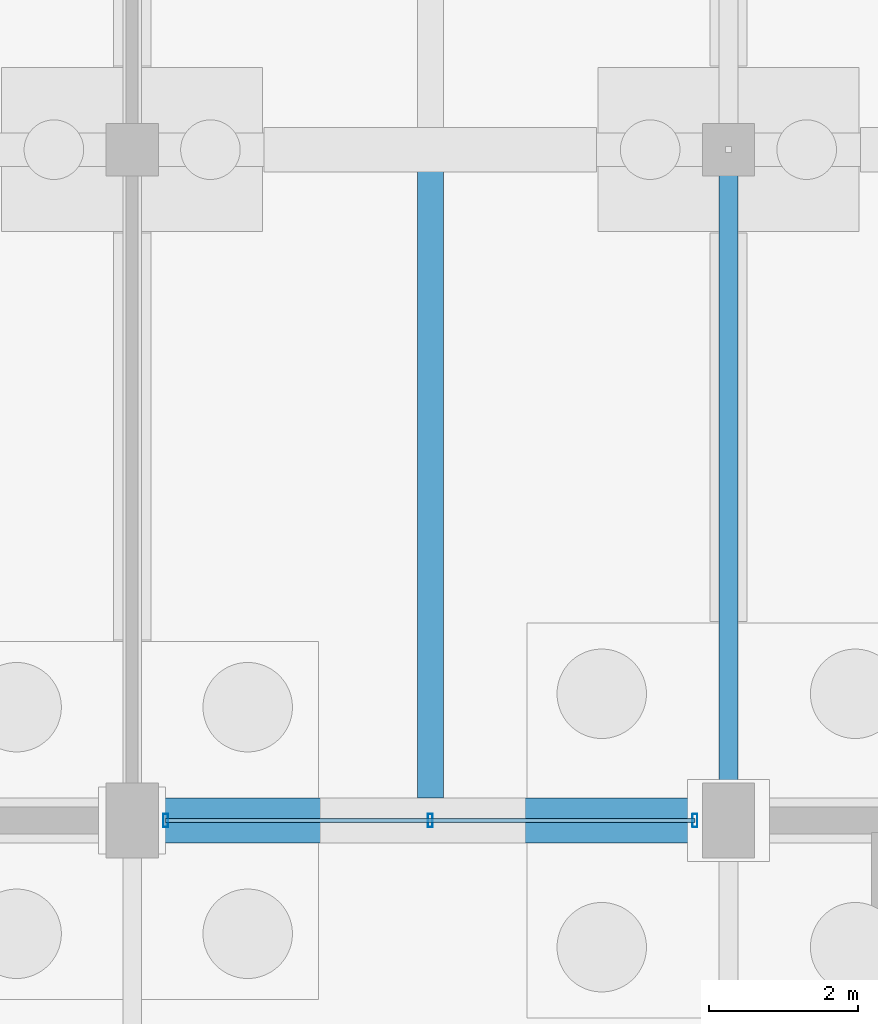
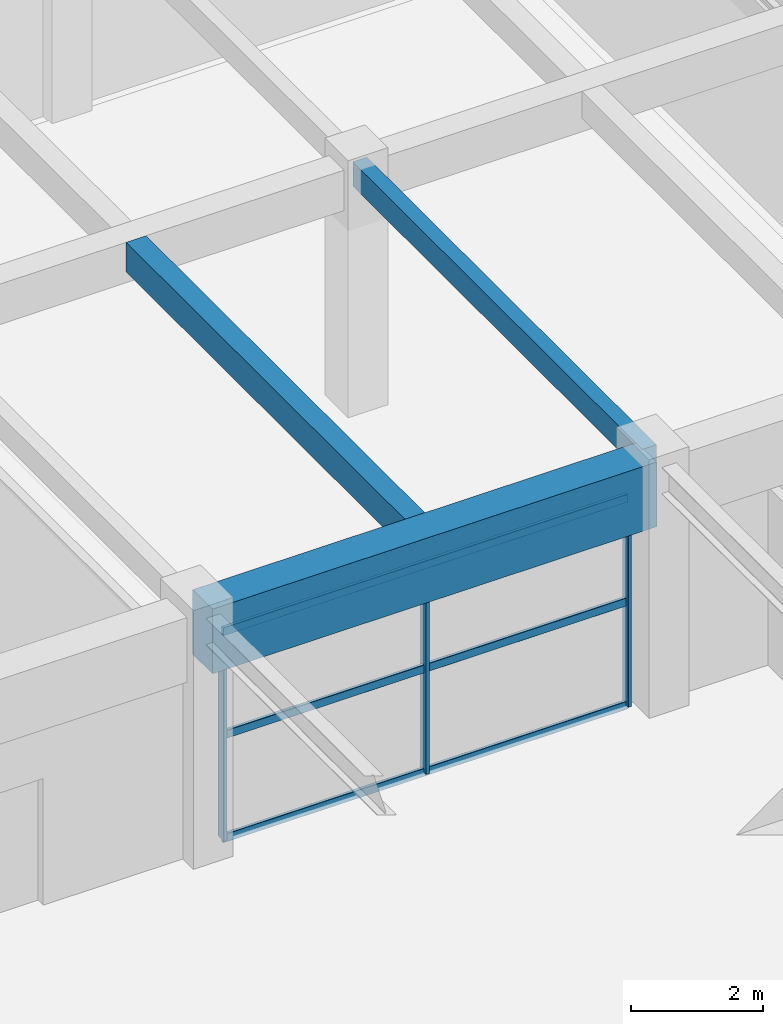
# One storey, part 48 of 147: 6 members, 3 beams, 1 element without a shape of its own.
"""IFC4 building model written with IfcOpenShell, lengths in metres."""

from ifc_helpers import new_model, si_unit, direction, frame, origin, origin_2d, place, context, subcontext, project, spatial, rectangle, hollow_rectangle, extrude, material, material_profile, profile_set, type_object, element, aggregate, save


model = new_model("IFC4")

# Units and contexts
model_context = context("Model", 3, precision=1e-05, world=origin(), true_north=direction((0.0, 1.0)))
body_context = subcontext(model_context, "Body", "Model", "MODEL_VIEW")
ifc_project = project(units=[si_unit("LENGTHUNIT", "METRE"), si_unit("AREAUNIT", "SQUARE_METRE"), si_unit("VOLUMEUNIT", "CUBIC_METRE"), si_unit("PLANEANGLEUNIT", "RADIAN"), si_unit("MASSUNIT", "GRAM", prefix="KILO")], contexts=[model_context])

# Site, building, storey
site_placement = place(None, origin())
site = spatial("IfcSite", under=ifc_project, at=site_placement, CompositionType="ELEMENT")
building_placement = place(site_placement, origin())
building = spatial("IfcBuilding", under=site, at=building_placement, Name="Varnabhumi Central Station", CompositionType="ELEMENT")
storey_placement = place(building_placement, origin())
storey = spatial("IfcBuildingStorey", under=building, at=storey_placement, Name="L00", CompositionType="ELEMENT", Elevation=0.0)

# Beams
ifc_material_1 = material(Name="Concrete M50", Category="concrete")
ifc_material_profile_1 = material_profile(ifc_material_1, rectangle(XDim=0.60009765625, YDim=1.199951171875, at=origin_2d()), Name="Concrete M50", Category="concrete")
ifc_profile_set_1 = profile_set([ifc_material_profile_1], Name="Concrete M50")
beam_type_1 = type_object("IfcBeamType", Name="BM-RC-1200x600", PredefinedType="BEAM", material=ifc_profile_set_1)
beam_1_placement = place(storey_placement, frame((32.10009765625, 80.0, 3.949951171875), z_axis=(1.0, 0.0, 0.0), x_axis=(0.0, 1.0, 0.0)))
element("IfcBeam", 1, at=beam_1_placement, inside=storey, type_object=beam_type_1, Name="Beam L00-K:5-6", PredefinedType="BEAM", context=body_context, shape_type="SweptSolid", body=[
    extrude(rectangle(XDim=0.60009765625, YDim=1.199951171875, at=origin_2d()), origin(), (0.0, 0.0, 1.0), 7.7998046875),
])
ifc_material_2 = material(Name="Concrete M35", Category="concrete")
ifc_material_profile_2 = material_profile(ifc_material_2, rectangle(XDim=0.25, YDim=0.449951171875, at=origin_2d()), Name="Concrete M35", Category="concrete")
ifc_profile_set_2 = profile_set([ifc_material_profile_2], Name="Concrete M35")
beam_type_2 = type_object("IfcBeamType", Name="BM-RC-250x450", PredefinedType="LINTEL", material=ifc_profile_set_2)
beam_2_placement = place(storey_placement, frame((40.0, 80.10009765625, 4.324951171875), z_axis=(0.0, 1.0, 0.0), x_axis=(-1.0, 0.0, 0.0)))
element("IfcBeam", 2, at=beam_2_placement, inside=storey, type_object=beam_type_2, Name="Beam L00-6:K-L", PredefinedType="LINTEL", context=body_context, shape_type="SweptSolid", body=[
    extrude(rectangle(XDim=0.25, YDim=0.449951171875, at=origin_2d()), origin(), (0.0, 0.0, 1.0), 8.7998046875),
])
ifc_material_3 = material(Name="Concrete M40", Category="concrete")
ifc_material_profile_3 = material_profile(ifc_material_3, rectangle(XDim=0.35009765625, YDim=0.550048828125, at=origin_2d()), Name="Concrete M40", Category="concrete")
ifc_profile_set_3 = profile_set([ifc_material_profile_3], Name="Concrete M40")
beam_type_3 = type_object("IfcBeamType", Name="BM-RC-350x550", PredefinedType="JOIST", material=ifc_profile_set_3)
beam_3_placement = place(storey_placement, frame((36.0, 80.300048828125, 4.27490234375), z_axis=(0.0, 1.0, 0.0), x_axis=(-1.0, 0.0, 0.0)))
element("IfcBeam", 3, at=beam_3_placement, inside=storey, type_object=beam_type_3, Name="Secondary Joist L00-5/6:K-L", PredefinedType="JOIST", context=body_context, shape_type="SweptSolid", body=[
    extrude(rectangle(XDim=0.35009765625, YDim=0.550048828125, at=origin_2d()), origin(), (0.0, 0.0, 1.0), 8.474853515625),
])

# Curtain wall, members
ifc_material_4 = material(Name="Anodised aluminium 6063-T6", Category="aluminium")
curtain_wall_type = type_object("IfcCurtainWallType", Name="CW-SPINE-SCREEN-L0", PredefinedType="NOTDEFINED", material=ifc_material_4)
curtain_wall_placement = place(storey_placement, origin())
curtain_wall = element("IfcCurtainWall", 4, at=curtain_wall_placement, inside=storey, type_object=curtain_wall_type, Name="Curtain Wall CW-NS004", PredefinedType="NOTDEFINED")
ifc_material_profile_4 = material_profile(ifc_material_4, hollow_rectangle(XDim=0.06494140625, YDim=0.179931640625, WallThickness=0.00390625, InnerFilletRadius=0.001953125, OuterFilletRadius=0.006103515625, at=origin_2d()), Name="Anodised aluminium 6063-T6", Category="aluminium")
ifc_profile_set_4 = profile_set([ifc_material_profile_4], Name="Anodised aluminium 6063-T6")
member_type_1 = type_object("IfcMemberType", Name="CW-MUL-180", PredefinedType="MULLION", material=ifc_profile_set_4)
member_1_placement = place(storey_placement, frame((32.449951171875, 80.0, 0.0), z_axis=(0.0, 0.0, 1.0), x_axis=(1.0, 0.0, 0.0)))
member_1 = element("IfcMember", 5, at=member_1_placement, type_object=member_type_1, Name="Curtain Wall Mullion CW-NS004-M1", PredefinedType="MULLION", context=body_context, shape_type="SweptSolid", body=[
    extrude(hollow_rectangle(XDim=0.06494140625, YDim=0.179931640625, WallThickness=0.00390625, InnerFilletRadius=0.001953125, OuterFilletRadius=0.006103515625, at=origin_2d()), origin(), (0.0, 0.0, 1.0), 3.840087890625),
])
member_2_placement = place(storey_placement, frame((36.0, 80.0, 0.0), z_axis=(0.0, 0.0, 1.0), x_axis=(1.0, 0.0, 0.0)))
member_2 = element("IfcMember", 6, at=member_2_placement, type_object=member_type_1, Name="Curtain Wall Mullion CW-NS004-M2", PredefinedType="MULLION", context=body_context, shape_type="SweptSolid", body=[
    extrude(hollow_rectangle(XDim=0.06494140625, YDim=0.179931640625, WallThickness=0.00390625, InnerFilletRadius=0.001953125, OuterFilletRadius=0.006103515625, at=origin_2d()), origin(), (0.0, 0.0, 1.0), 3.840087890625),
])
member_3_placement = place(storey_placement, frame((39.550048828125, 80.0, 0.0), z_axis=(0.0, 0.0, 1.0), x_axis=(1.0, 0.0, 0.0)))
member_3 = element("IfcMember", 7, at=member_3_placement, type_object=member_type_1, Name="Curtain Wall Mullion CW-NS004-M3", PredefinedType="MULLION", context=body_context, shape_type="SweptSolid", body=[
    extrude(hollow_rectangle(XDim=0.06494140625, YDim=0.179931640625, WallThickness=0.00390625, InnerFilletRadius=0.001953125, OuterFilletRadius=0.006103515625, at=origin_2d()), origin(), (0.0, 0.0, 1.0), 3.840087890625),
])
ifc_material_profile_5 = material_profile(ifc_material_4, hollow_rectangle(XDim=0.06005859375, YDim=0.14990234375, WallThickness=0.00390625, InnerFilletRadius=0.001953125, OuterFilletRadius=0.006103515625, at=origin_2d()), Name="Anodised aluminium 6063-T6", Category="aluminium")
ifc_profile_set_5 = profile_set([ifc_material_profile_5], Name="Anodised aluminium 6063-T6")
member_type_2 = type_object("IfcMemberType", Name="CW-TR-150", PredefinedType="USERDEFINED", material=ifc_profile_set_5)
member_4_placement = place(storey_placement, frame((32.449951171875, 80.0, 0.0), z_axis=(1.0, 0.0, 0.0), x_axis=(0.0, 1.0, 0.0)))
member_4 = element("IfcMember", 8, at=member_4_placement, type_object=member_type_2, Name="Curtain Wall Transom CW-NS004-T1", ObjectType="TRANSOM", PredefinedType="USERDEFINED", context=body_context, shape_type="SweptSolid", body=[
    extrude(hollow_rectangle(XDim=0.06005859375, YDim=0.14990234375, WallThickness=0.00390625, InnerFilletRadius=0.001953125, OuterFilletRadius=0.006103515625, at=origin_2d()), origin(), (0.0, 0.0, 1.0), 7.10009765625),
])
member_5_placement = place(storey_placement, frame((32.449951171875, 80.0, 1.919921875), z_axis=(1.0, 0.0, 0.0), x_axis=(0.0, 1.0, 0.0)))
member_5 = element("IfcMember", 9, at=member_5_placement, type_object=member_type_2, Name="Curtain Wall Transom CW-NS004-T2", ObjectType="TRANSOM", PredefinedType="USERDEFINED", context=body_context, shape_type="SweptSolid", body=[
    extrude(hollow_rectangle(XDim=0.06005859375, YDim=0.14990234375, WallThickness=0.00390625, InnerFilletRadius=0.001953125, OuterFilletRadius=0.006103515625, at=origin_2d()), origin(), (0.0, 0.0, 1.0), 7.10009765625),
])
member_6_placement = place(storey_placement, frame((32.449951171875, 80.0, 3.840087890625), z_axis=(1.0, 0.0, 0.0), x_axis=(0.0, 1.0, 0.0)))
member_6 = element("IfcMember", 10, at=member_6_placement, type_object=member_type_2, Name="Curtain Wall Transom CW-NS004-T3", ObjectType="TRANSOM", PredefinedType="USERDEFINED", context=body_context, shape_type="SweptSolid", body=[
    extrude(hollow_rectangle(XDim=0.06005859375, YDim=0.14990234375, WallThickness=0.00390625, InnerFilletRadius=0.001953125, OuterFilletRadius=0.006103515625, at=origin_2d()), origin(), (0.0, 0.0, 1.0), 7.10009765625),
])
aggregate(curtain_wall, [member_1, member_2, member_3, member_4, member_5, member_6])

save(model, "model.ifc")
